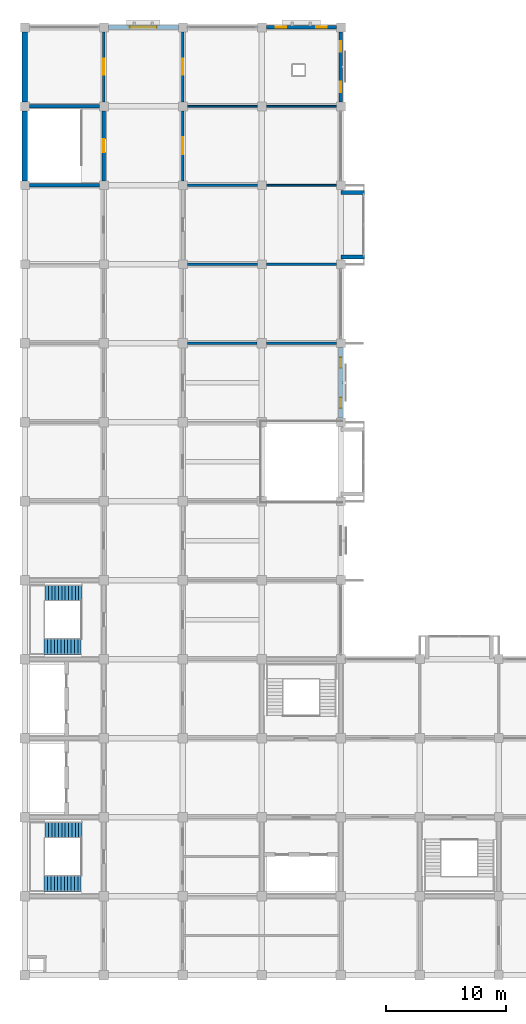
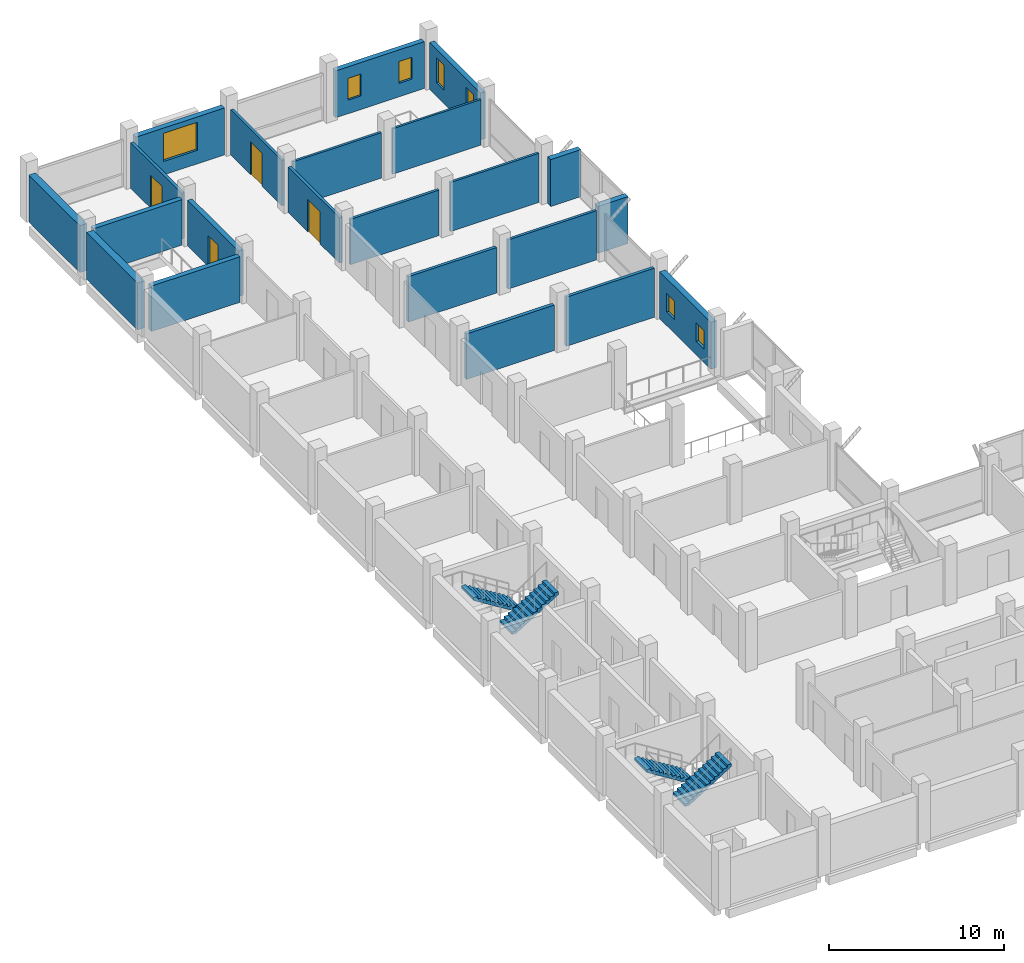
# One storey, part 10 of 14: 22 walls, 7 windows, 4 doors, 4 stair flights, 11 openings, 2 elements without a shape of their own.
"""IFC4 building model written with IfcOpenShell, lengths in metres."""

from ifc_helpers import new_model, si_unit, direction, frame, frame_2d, origin, place, context, subcontext, project, spatial, polyline, rectangle, outline, extrude, material, layer, layer_set, type_object, element, fill, aggregate, save


model = new_model("IFC4")

# Units and contexts
model_context = context("Model", 3, precision=1e-05, world=origin(), true_north=direction((0.0, 1.0)))
body_context = subcontext(model_context, "Body", "Model", "MODEL_VIEW")
ifc_project = project(units=[si_unit("LENGTHUNIT", "METRE"), si_unit("AREAUNIT", "SQUARE_METRE"), si_unit("VOLUMEUNIT", "CUBIC_METRE"), si_unit("PLANEANGLEUNIT", "RADIAN"), si_unit("MASSUNIT", "GRAM", prefix="KILO")], contexts=[model_context])

# Site, building, storey
site_placement = place(None, origin())
site = spatial("IfcSite", under=ifc_project, at=site_placement, CompositionType="ELEMENT")
building_placement = place(site_placement, origin())
building = spatial("IfcBuilding", under=site, at=building_placement, Name="Rusizi Kubbe Research Institute", CompositionType="ELEMENT")
storey_placement = place(building_placement, frame((0.0, 0.0, 31.199951171875)))
storey = spatial("IfcBuildingStorey", under=building, at=storey_placement, Name="L07", CompositionType="ELEMENT", Elevation=31.199951171875)

# Walls
ifc_material_1 = material(Name="Concrete C45/55", Category="concrete")
ifc_layer_1 = layer(ifc_material_1, 0.31494140625)
ifc_layer_set_1 = layer_set([ifc_layer_1], Name="Concrete C45/55")
wall_type_1 = type_object("IfcWallType", Name="CRW-02", PredefinedType="SHEAR", material=ifc_layer_set_1)
for number, where, z_axis, x_axis, name in (
    (1, (0.375, 66.0, 0.0), (0.0, 0.0, 1.0), (1.0, 0.0, 0.0), "Stair Core Shear Wall ST5 L07 S"),
    (2, (0.375, 72.60009765625, 0.0), (0.0, 0.0, 1.0), (1.0, 0.0, 0.0), "Stair Core Shear Wall ST5 L07 N"),
):
    element("IfcWall", number, at=place(storey_placement, frame(where, z_axis=z_axis, x_axis=x_axis)), inside=storey, type_object=wall_type_1, Name=name, PredefinedType="SHEAR", context=body_context, shape_type="SweptSolid", body=[
        extrude(rectangle(XDim=5.85009765625, YDim=0.31494140625, at=frame_2d((2.925048828125, 0.0))), origin(), (0.0, 0.0, 1.0), 3.179931640625),
    ])

# Wall, opening, door
wall_1_placement = place(storey_placement, frame((6.60009765625, 66.375, 0.0), z_axis=(0.0, 0.0, 1.0), x_axis=(0.0, 1.0, 0.0)))
wall_1 = element("IfcWall", 3, at=wall_1_placement, inside=storey, type_object=wall_type_1, Name="Stair Core Shear Wall ST5 L07 E", PredefinedType="SHEAR", context=body_context, shape_type="SweptSolid", body=[
    extrude(rectangle(XDim=5.85009765625, YDim=0.31494140625, at=frame_2d((2.925048828125, 0.0))), origin(), (0.0, 0.0, 1.0), 3.179931640625),
])
opening_1_placement = place(wall_1_placement, frame((2.375, 0.0, 0.0)))
opening_1 = element("IfcOpeningElement", 4, at=opening_1_placement, cuts=wall_1, Name="Opening D-01", PredefinedType="OPENING", context=body_context, shape_type="SweptSolid", body=[
    extrude(rectangle(XDim=1.10009765625, YDim=2.14990234375, at=frame_2d((0.550048828125, 1.074951171875))), frame((0.0, 0.16748046875, 0.0), z_axis=(0.0, -1.0, 0.0), x_axis=(1.0, 0.0, 0.0)), (0.0, 0.0, 1.0), 0.3349609375),
])
ifc_material_2 = material(Name="Fire-Rated Steel Frame and Acoustic Timber Leaf", Category="wood")
door_type_1 = type_object("IfcDoorType", Name="ID-STAIR-110", OperationType="NOTDEFINED", PredefinedType="DOOR", material=ifc_material_2)
door_1_placement = place(opening_1_placement, origin())
door_1 = element("IfcDoor", 5, at=door_1_placement, inside=storey, type_object=door_type_1, Name="Exit Stair Door ST5 L07", OperationType="SINGLE_SWING_LEFT", OverallHeight=2.14990234375, OverallWidth=1.10009765625, PredefinedType="DOOR", context=body_context, shape_type="SweptSolid", body=[
    extrude(rectangle(XDim=1.10009765625, YDim=2.14990234375, at=frame_2d((0.550048828125, 1.074951171875))), frame((0.0, 0.02490234375, 0.0), z_axis=(0.0, -1.0, 0.0), x_axis=(1.0, 0.0, 0.0)), (0.0, 0.0, 1.0), 0.050048828125),
])
fill(opening_1, door_1)

# Wall, openings, windows
ifc_material_3 = material(Name="Volcanic Basalt Ashlar Masonry", Category="masonry")
ifc_layer_2 = layer(ifc_material_3, 0.385009765625)
ifc_layer_set_2 = layer_set([ifc_layer_2], Name="Volcanic Basalt Ashlar Masonry")
wall_type_2 = type_object("IfcWallType", Name="EW-04", PredefinedType="SOLIDWALL", material=ifc_layer_set_2)
wall_2_placement = place(storey_placement, frame((26.39990234375, 46.574951171875, 0.0), z_axis=(0.0, 0.0, 1.0), x_axis=(0.0, 1.0, 0.0)))
wall_2 = element("IfcWall", 6, at=wall_2_placement, inside=storey, type_object=wall_type_2, Name="Ablaq Stone Exterior Wall L07 V4-7", PredefinedType="SOLIDWALL", context=body_context, shape_type="SweptSolid", body=[
    extrude(rectangle(XDim=5.85009765625, YDim=0.385009765625, at=frame_2d((2.925048828125, 0.0))), origin(), (0.0, 0.0, 1.0), 3.280029296875),
])
opening_2_placement = place(wall_2_placement, frame((0.800048828125, 0.0, 0.949951171875)))
opening_2 = element("IfcOpeningElement", 7, at=opening_2_placement, cuts=wall_2, Name="Opening WN-01", PredefinedType="OPENING", context=body_context, shape_type="SweptSolid", body=[
    extrude(rectangle(XDim=0.8798828125, YDim=1.300048828125, at=frame_2d((0.43994140625, 0.64990234375))), frame((0.0, 0.202392578125, 0.0), z_axis=(0.0, -1.0, 0.0), x_axis=(1.0, 0.0, 0.0)), (0.0, 0.0, 1.0), 0.405029296875),
])
opening_3_placement = place(wall_2_placement, frame((4.169921875, 0.0, 0.949951171875)))
opening_3 = element("IfcOpeningElement", 8, at=opening_3_placement, cuts=wall_2, Name="Opening WN-01", PredefinedType="OPENING", context=body_context, shape_type="SweptSolid", body=[
    extrude(rectangle(XDim=0.8798828125, YDim=1.300048828125, at=frame_2d((0.43994140625, 0.64990234375))), frame((0.0, 0.202392578125, 0.0), z_axis=(0.0, -1.0, 0.0), x_axis=(1.0, 0.0, 0.0)), (0.0, 0.0, 1.0), 0.405029296875),
])
ifc_material_4 = material(Name="Aluminium Frame and Solar-Control Double Glazing", Category="glass")
window_type_1 = type_object("IfcWindowType", Name="WN-01", PartitioningType="SINGLE_PANEL", PredefinedType="WINDOW", material=ifc_material_4)
window_1_placement = place(opening_2_placement, origin())
window_1 = element("IfcWindow", 9, at=window_1_placement, inside=storey, type_object=window_type_1, Name="Casement Window WN-01 L07", OverallHeight=1.300048828125, OverallWidth=0.8798828125, PartitioningType="SINGLE_PANEL", PredefinedType="WINDOW", context=body_context, shape_type="SweptSolid", body=[
    extrude(rectangle(XDim=0.8798828125, YDim=1.300048828125, at=frame_2d((0.43994140625, 0.64990234375))), frame((0.0, 0.030029296875, 0.0), z_axis=(0.0, -1.0, 0.0), x_axis=(1.0, 0.0, 0.0)), (0.0, 0.0, 1.0), 0.06005859375),
])
fill(opening_2, window_1)
window_2_placement = place(opening_3_placement, origin())
window_2 = element("IfcWindow", 10, at=window_2_placement, inside=storey, type_object=window_type_1, Name="Casement Window WN-01 L07", OverallHeight=1.300048828125, OverallWidth=0.8798828125, PartitioningType="SINGLE_PANEL", PredefinedType="WINDOW", context=body_context, shape_type="SweptSolid", body=[
    extrude(rectangle(XDim=0.8798828125, YDim=1.300048828125, at=frame_2d((0.43994140625, 0.64990234375))), frame((0.0, 0.030029296875, 0.0), z_axis=(0.0, -1.0, 0.0), x_axis=(1.0, 0.0, 0.0)), (0.0, 0.0, 1.0), 0.06005859375),
])
fill(opening_3, window_2)

# Wall, opening, window
ifc_material_5 = material(Name="Volcanic Basalt Ashlar Masonry", Category="masonry")
ifc_layer_3 = layer(ifc_material_5, 0.35498046875)
ifc_layer_set_3 = layer_set([ifc_layer_3], Name="Volcanic Basalt Ashlar Masonry")
wall_type_3 = type_object("IfcWallType", Name="EW-06", PredefinedType="SOLIDWALL", material=ifc_layer_set_3)
wall_3_placement = place(storey_placement, frame((6.97509765625, 79.199951171875, 0.0), z_axis=(0.0, 0.0, 1.0), x_axis=(1.0, 0.0, 0.0)))
wall_3 = element("IfcWall", 11, at=wall_3_placement, inside=storey, type_object=wall_type_3, Name="Ablaq Stone Exterior Wall L07 H1-12", PredefinedType="SOLIDWALL", context=body_context, shape_type="SweptSolid", body=[
    extrude(rectangle(XDim=5.849853515625, YDim=0.35498046875, at=frame_2d((2.9248046875, 0.0))), origin(), (0.0, 0.0, 1.0), 3.280029296875),
])
opening_4_placement = place(wall_3_placement, frame((1.804931640625, 0.0, 0.949951171875)))
opening_4 = element("IfcOpeningElement", 12, at=opening_4_placement, cuts=wall_3, Name="Opening WN-32", PredefinedType="OPENING", context=body_context, shape_type="SweptSolid", body=[
    extrude(rectangle(XDim=2.239990234375, YDim=1.9599609375, at=frame_2d((1.1201171875, 0.97998046875))), frame((0.0, 0.1875, 0.0), z_axis=(0.0, -1.0, 0.0), x_axis=(1.0, 0.0, 0.0)), (0.0, 0.0, 1.0), 0.375),
])
ifc_material_6 = material(Name="Aluminium Frame and Solar-Control Double Glazing", Category="glass")
window_type_2 = type_object("IfcWindowType", Name="WN-32", PartitioningType="DOUBLE_PANEL_VERTICAL", PredefinedType="WINDOW", material=ifc_material_6)
window_3_placement = place(opening_4_placement, origin())
window_3 = element("IfcWindow", 13, at=window_3_placement, inside=storey, type_object=window_type_2, Name="Casement Window WN-32 L07", OverallHeight=1.9599609375, OverallWidth=2.239990234375, PartitioningType="DOUBLE_PANEL_VERTICAL", PredefinedType="WINDOW", context=body_context, shape_type="SweptSolid", body=[
    extrude(rectangle(XDim=2.239990234375, YDim=1.9599609375, at=frame_2d((1.1201171875, 0.97998046875))), frame((0.0, 0.030029296875, 0.0), z_axis=(0.0, -1.0, 0.0), x_axis=(1.0, 0.0, 0.0)), (0.0, 0.0, 1.0), 0.06005859375),
])
fill(opening_4, window_3)

# Walls
for number, where, z_axis, x_axis, name in (
    (14, (26.39990234375, 60.0, 0.0), (0.0, 0.0, 1.0), (1.0, 0.0, 0.0), "Cumba Return Wall S L07 (4,9)"),
    (15, (26.39990234375, 65.39990234375, 0.0), (0.0, 0.0, 1.0), (1.0, 0.0, 0.0), "Cumba Return Wall N L07 (4,9)"),
):
    element("IfcWall", number, at=place(storey_placement, frame(where, z_axis=z_axis, x_axis=x_axis)), inside=storey, type_object=wall_type_3, Name=name, PredefinedType="SOLIDWALL", context=body_context, shape_type="SweptSolid", body=[
        extrude(rectangle(XDim=2.0, YDim=0.35498046875, at=frame_2d((1.0, 0.0))), origin(), (0.0, 0.0, 1.0), 3.280029296875),
    ])

# Wall, openings, windows
ifc_material_7 = material(Name="Volcanic Basalt Ashlar Masonry", Category="masonry")
ifc_layer_4 = layer(ifc_material_7, 0.324951171875)
ifc_layer_set_4 = layer_set([ifc_layer_4], Name="Volcanic Basalt Ashlar Masonry")
wall_type_4 = type_object("IfcWallType", Name="EW-08", PredefinedType="SOLIDWALL", material=ifc_layer_set_4)
wall_4_placement = place(storey_placement, frame((20.175048828125, 79.199951171875, 0.0), z_axis=(0.0, 0.0, 1.0), x_axis=(1.0, 0.0, 0.0)))
wall_4 = element("IfcWall", 16, at=wall_4_placement, inside=storey, type_object=wall_type_4, Name="Ablaq Stone Exterior Wall L07 H3-12", PredefinedType="SOLIDWALL", context=body_context, shape_type="SweptSolid", body=[
    extrude(rectangle(XDim=5.849853515625, YDim=0.324951171875, at=frame_2d((2.9248046875, 0.0))), origin(), (0.0, 0.0, 1.0), 3.280029296875),
])
opening_5_placement = place(wall_4_placement, frame((0.800048828125, 0.0, 0.949951171875)))
opening_5 = element("IfcOpeningElement", 17, at=opening_5_placement, cuts=wall_4, Name="Opening WN-02", PredefinedType="OPENING", context=body_context, shape_type="SweptSolid", body=[
    extrude(rectangle(XDim=0.8798828125, YDim=1.52001953125, at=frame_2d((0.43994140625, 0.760009765625))), frame((0.0, 0.17236328125, 0.0), z_axis=(0.0, -1.0, 0.0), x_axis=(1.0, 0.0, 0.0)), (0.0, 0.0, 1.0), 0.344970703125),
])
opening_6_placement = place(wall_4_placement, frame((4.169921875, 0.0, 0.949951171875)))
opening_6 = element("IfcOpeningElement", 18, at=opening_6_placement, cuts=wall_4, Name="Opening WN-02", PredefinedType="OPENING", context=body_context, shape_type="SweptSolid", body=[
    extrude(rectangle(XDim=0.8798828125, YDim=1.52001953125, at=frame_2d((0.43994140625, 0.760009765625))), frame((0.0, 0.17236328125, 0.0), z_axis=(0.0, -1.0, 0.0), x_axis=(1.0, 0.0, 0.0)), (0.0, 0.0, 1.0), 0.344970703125),
])
ifc_material_8 = material(Name="Aluminium Frame and Solar-Control Double Glazing", Category="glass")
window_type_3 = type_object("IfcWindowType", Name="WN-02", PartitioningType="SINGLE_PANEL", PredefinedType="WINDOW", material=ifc_material_8)
window_4_placement = place(opening_5_placement, origin())
window_4 = element("IfcWindow", 19, at=window_4_placement, inside=storey, type_object=window_type_3, Name="Casement Window WN-02 L07", OverallHeight=1.52001953125, OverallWidth=0.8798828125, PartitioningType="SINGLE_PANEL", PredefinedType="WINDOW", context=body_context, shape_type="SweptSolid", body=[
    extrude(rectangle(XDim=0.8798828125, YDim=1.52001953125, at=frame_2d((0.43994140625, 0.760009765625))), frame((0.0, 0.030029296875, 0.0), z_axis=(0.0, -1.0, 0.0), x_axis=(1.0, 0.0, 0.0)), (0.0, 0.0, 1.0), 0.06005859375),
])
fill(opening_5, window_4)
window_5_placement = place(opening_6_placement, origin())
window_5 = element("IfcWindow", 20, at=window_5_placement, inside=storey, type_object=window_type_3, Name="Casement Window WN-02 L07", OverallHeight=1.52001953125, OverallWidth=0.8798828125, PartitioningType="SINGLE_PANEL", PredefinedType="WINDOW", context=body_context, shape_type="SweptSolid", body=[
    extrude(rectangle(XDim=0.8798828125, YDim=1.52001953125, at=frame_2d((0.43994140625, 0.760009765625))), frame((0.0, 0.030029296875, 0.0), z_axis=(0.0, -1.0, 0.0), x_axis=(1.0, 0.0, 0.0)), (0.0, 0.0, 1.0), 0.06005859375),
])
fill(opening_6, window_5)

wall_5_placement = place(storey_placement, frame((26.39990234375, 72.97509765625, 0.0), z_axis=(0.0, 0.0, 1.0), x_axis=(0.0, 1.0, 0.0)))
wall_5 = element("IfcWall", 21, at=wall_5_placement, inside=storey, type_object=wall_type_4, Name="Ablaq Stone Exterior Wall L07 V4-11", PredefinedType="SOLIDWALL", context=body_context, shape_type="SweptSolid", body=[
    extrude(rectangle(XDim=5.849853515625, YDim=0.324951171875, at=frame_2d((2.9248046875, 0.0))), origin(), (0.0, 0.0, 1.0), 3.280029296875),
])
opening_7_placement = place(wall_5_placement, frame((0.800048828125, 0.0, 0.949951171875)))
opening_7 = element("IfcOpeningElement", 22, at=opening_7_placement, cuts=wall_5, Name="Opening WN-03", PredefinedType="OPENING", context=body_context, shape_type="SweptSolid", body=[
    extrude(rectangle(XDim=0.8798828125, YDim=1.739990234375, at=frame_2d((0.43994140625, 0.8701171875))), frame((0.0, 0.17236328125, 0.0), z_axis=(0.0, -1.0, 0.0), x_axis=(1.0, 0.0, 0.0)), (0.0, 0.0, 1.0), 0.344970703125),
])
opening_8_placement = place(wall_5_placement, frame((4.169921875, 0.0, 0.949951171875)))
opening_8 = element("IfcOpeningElement", 23, at=opening_8_placement, cuts=wall_5, Name="Opening WN-03", PredefinedType="OPENING", context=body_context, shape_type="SweptSolid", body=[
    extrude(rectangle(XDim=0.8798828125, YDim=1.739990234375, at=frame_2d((0.43994140625, 0.8701171875))), frame((0.0, 0.17236328125, 0.0), z_axis=(0.0, -1.0, 0.0), x_axis=(1.0, 0.0, 0.0)), (0.0, 0.0, 1.0), 0.344970703125),
])
ifc_material_9 = material(Name="Aluminium Frame and Solar-Control Double Glazing", Category="glass")
window_type_4 = type_object("IfcWindowType", Name="WN-03", PartitioningType="SINGLE_PANEL", PredefinedType="WINDOW", material=ifc_material_9)
window_6_placement = place(opening_7_placement, origin())
window_6 = element("IfcWindow", 24, at=window_6_placement, inside=storey, type_object=window_type_4, Name="Casement Window WN-03 L07", OverallHeight=1.739990234375, OverallWidth=0.8798828125, PartitioningType="SINGLE_PANEL", PredefinedType="WINDOW", context=body_context, shape_type="SweptSolid", body=[
    extrude(rectangle(XDim=0.8798828125, YDim=1.739990234375, at=frame_2d((0.43994140625, 0.8701171875))), frame((0.0, 0.030029296875, 0.0), z_axis=(0.0, -1.0, 0.0), x_axis=(1.0, 0.0, 0.0)), (0.0, 0.0, 1.0), 0.06005859375),
])
fill(opening_7, window_6)
window_7_placement = place(opening_8_placement, origin())
window_7 = element("IfcWindow", 25, at=window_7_placement, inside=storey, type_object=window_type_4, Name="Casement Window WN-03 L07", OverallHeight=1.739990234375, OverallWidth=0.8798828125, PartitioningType="SINGLE_PANEL", PredefinedType="WINDOW", context=body_context, shape_type="SweptSolid", body=[
    extrude(rectangle(XDim=0.8798828125, YDim=1.739990234375, at=frame_2d((0.43994140625, 0.8701171875))), frame((0.0, 0.030029296875, 0.0), z_axis=(0.0, -1.0, 0.0), x_axis=(1.0, 0.0, 0.0)), (0.0, 0.0, 1.0), 0.06005859375),
])
fill(opening_8, window_7)

# Wall
ifc_material_10 = material(Name="Concrete Blockwork Fire Partition", Category="masonry")
ifc_layer_5 = layer(ifc_material_10, 0.22509765625)
ifc_layer_set_5 = layer_set([ifc_layer_5], Name="Concrete Blockwork Fire Partition")
wall_type_5 = type_object("IfcWallType", Name="IW-01", PredefinedType="PARTITIONING", material=ifc_layer_set_5)
wall_6_placement = place(storey_placement, frame((13.60009765625, 52.800048828125, 0.0), z_axis=(0.0, 0.0, 1.0), x_axis=(1.0, 0.0, 0.0)))
element("IfcWall", 26, at=wall_6_placement, inside=storey, type_object=wall_type_5, Name="Interior Partition Wall L07 H2-8", PredefinedType="PARTITIONING", context=body_context, shape_type="SweptSolid", body=[
    extrude(rectangle(XDim=5.7998046875, YDim=0.22509765625, at=frame_2d((2.89990234375, 0.0))), origin(), (0.0, 0.0, 1.0), 3.179931640625),
])

# Wall, opening, door
ifc_material_11 = material(Name="Insulated Cleanroom Partition", Category="masonry")
ifc_layer_6 = layer(ifc_material_11, 0.195068359375)
ifc_layer_set_6 = layer_set([ifc_layer_6], Name="Insulated Cleanroom Partition")
wall_type_6 = type_object("IfcWallType", Name="IW-02", PredefinedType="PARTITIONING", material=ifc_layer_set_6)
wall_7_placement = place(storey_placement, frame((6.60009765625, 72.97509765625, 0.0), z_axis=(0.0, 0.0, 1.0), x_axis=(0.0, 1.0, 0.0)))
wall_7 = element("IfcWall", 27, at=wall_7_placement, inside=storey, type_object=wall_type_6, Name="Interior Partition Wall L07 V1-11", PredefinedType="PARTITIONING", context=body_context, shape_type="SweptSolid", body=[
    extrude(rectangle(XDim=5.849853515625, YDim=0.195068359375, at=frame_2d((2.9248046875, 0.0))), origin(), (0.0, 0.0, 1.0), 3.179931640625),
])
opening_9_placement = place(wall_7_placement, frame((2.27490234375, 0.0, 0.0)))
opening_9 = element("IfcOpeningElement", 28, at=opening_9_placement, cuts=wall_7, Name="Opening D-14", PredefinedType="OPENING", context=body_context, shape_type="SweptSolid", body=[
    extrude(rectangle(XDim=1.300048828125, YDim=2.300048828125, at=frame_2d((0.64990234375, 1.14990234375))), frame((0.0, 0.107421875, 0.0), z_axis=(0.0, -1.0, 0.0), x_axis=(1.0, 0.0, 0.0)), (0.0, 0.0, 1.0), 0.215087890625),
])
ifc_material_12 = material(Name="Fire-Rated Steel Frame and Acoustic Timber Leaf", Category="wood")
door_type_2 = type_object("IfcDoorType", Name="ID-LAB-130", OperationType="NOTDEFINED", PredefinedType="DOOR", material=ifc_material_12)
door_2_placement = place(opening_9_placement, origin())
door_2 = element("IfcDoor", 29, at=door_2_placement, inside=storey, type_object=door_type_2, Name="Door to Clean Room Metrology Laboratory (L07-WSP-11)", OperationType="SINGLE_SWING_RIGHT", OverallHeight=2.300048828125, OverallWidth=1.300048828125, PredefinedType="DOOR", context=body_context, shape_type="SweptSolid", body=[
    extrude(rectangle(XDim=1.300048828125, YDim=2.300048828125, at=frame_2d((0.64990234375, 1.14990234375))), frame((0.0, 0.02490234375, 0.0), z_axis=(0.0, -1.0, 0.0), x_axis=(1.0, 0.0, 0.0)), (0.0, 0.0, 1.0), 0.050048828125),
])
fill(opening_9, door_2)

wall_8_placement = place(storey_placement, frame((13.199951171875, 66.375, 0.0), z_axis=(0.0, 0.0, 1.0), x_axis=(0.0, 1.0, 0.0)))
wall_8 = element("IfcWall", 30, at=wall_8_placement, inside=storey, type_object=wall_type_6, Name="Interior Partition Wall L07 V2-10", PredefinedType="PARTITIONING", context=body_context, shape_type="SweptSolid", body=[
    extrude(rectangle(XDim=5.85009765625, YDim=0.195068359375, at=frame_2d((2.925048828125, 0.0))), origin(), (0.0, 0.0, 1.0), 3.179931640625),
])
opening_10_placement = place(wall_8_placement, frame((2.22509765625, 0.0, 0.0)))
opening_10 = element("IfcOpeningElement", 31, at=opening_10_placement, cuts=wall_8, Name="Opening D-12", PredefinedType="OPENING", context=body_context, shape_type="SweptSolid", body=[
    extrude(rectangle(XDim=1.39990234375, YDim=2.25, at=frame_2d((0.699951171875, 1.125))), frame((0.0, 0.107421875, 0.0), z_axis=(0.0, -1.0, 0.0), x_axis=(1.0, 0.0, 0.0)), (0.0, 0.0, 1.0), 0.215087890625),
])
ifc_material_13 = material(Name="Fire-Rated Steel Frame and Acoustic Timber Leaf", Category="wood")
door_type_3 = type_object("IfcDoorType", Name="ID-LAB-140", OperationType="NOTDEFINED", PredefinedType="DOOR", material=ifc_material_13)
door_3_placement = place(opening_10_placement, origin())
door_3 = element("IfcDoor", 32, at=door_3_placement, inside=storey, type_object=door_type_3, Name="Door to Bioscience Wet Laboratory (L07-NW-08)", OperationType="SINGLE_SWING_RIGHT", OverallHeight=2.25, OverallWidth=1.39990234375, PredefinedType="DOOR", context=body_context, shape_type="SweptSolid", body=[
    extrude(rectangle(XDim=1.39990234375, YDim=2.25, at=frame_2d((0.699951171875, 1.125))), frame((0.0, 0.02490234375, 0.0), z_axis=(0.0, -1.0, 0.0), x_axis=(1.0, 0.0, 0.0)), (0.0, 0.0, 1.0), 0.050048828125),
])
fill(opening_10, door_3)

# Walls
wall_9_placement = place(storey_placement, frame((13.574951171875, 59.39990234375, 0.0), z_axis=(0.0, 0.0, 1.0), x_axis=(1.0, 0.0, 0.0)))
element("IfcWall", 33, at=wall_9_placement, inside=storey, type_object=wall_type_6, Name="Interior Partition Wall L07 H2-9", PredefinedType="PARTITIONING", context=body_context, shape_type="SweptSolid", body=[
    extrude(rectangle(XDim=5.85009765625, YDim=0.195068359375, at=frame_2d((2.925048828125, 0.0))), origin(), (0.0, 0.0, 1.0), 3.179931640625),
])
wall_10_placement = place(storey_placement, frame((20.199951171875, 52.800048828125, 0.0), z_axis=(0.0, 0.0, 1.0), x_axis=(1.0, 0.0, 0.0)))
element("IfcWall", 34, at=wall_10_placement, inside=storey, type_object=wall_type_6, Name="Interior Partition Wall L07 H3-8", PredefinedType="PARTITIONING", context=body_context, shape_type="SweptSolid", body=[
    extrude(rectangle(XDim=5.824951171875, YDim=0.195068359375, at=frame_2d((2.91259765625, 0.0))), origin(), (0.0, 0.0, 1.0), 3.429931640625),
])

# Wall, opening, door
ifc_material_14 = material(Name="Acoustic Laboratory Partition", Category="masonry")
ifc_layer_7 = layer(ifc_material_14, 0.175048828125)
ifc_layer_set_7 = layer_set([ifc_layer_7], Name="Acoustic Laboratory Partition")
wall_type_7 = type_object("IfcWallType", Name="IW-03", PredefinedType="PARTITIONING", material=ifc_layer_set_7)
wall_11_placement = place(storey_placement, frame((13.199951171875, 72.97509765625, 0.0), z_axis=(0.0, 0.0, 1.0), x_axis=(0.0, 1.0, 0.0)))
wall_11 = element("IfcWall", 35, at=wall_11_placement, inside=storey, type_object=wall_type_7, Name="Interior Partition Wall L07 V2-11", PredefinedType="PARTITIONING", context=body_context, shape_type="SweptSolid", body=[
    extrude(rectangle(XDim=5.849853515625, YDim=0.175048828125, at=frame_2d((2.9248046875, 0.0))), origin(), (0.0, 0.0, 1.0), 3.179931640625),
])
opening_11_placement = place(wall_11_placement, frame((2.25, 0.0, 0.0)))
opening_11 = element("IfcOpeningElement", 36, at=opening_11_placement, cuts=wall_11, Name="Opening D-13", PredefinedType="OPENING", context=body_context, shape_type="SweptSolid", body=[
    extrude(rectangle(XDim=1.35009765625, YDim=2.300048828125, at=frame_2d((0.675048828125, 1.14990234375))), frame((0.0, 0.097412109375, 0.0), z_axis=(0.0, -1.0, 0.0), x_axis=(1.0, 0.0, 0.0)), (0.0, 0.0, 1.0), 0.195068359375),
])
ifc_material_15 = material(Name="Fire-Rated Steel Frame and Acoustic Timber Leaf", Category="wood")
door_type_4 = type_object("IfcDoorType", Name="ID-LAB-135", OperationType="NOTDEFINED", PredefinedType="DOOR", material=ifc_material_15)
door_4_placement = place(opening_11_placement, origin())
door_4 = element("IfcDoor", 37, at=door_4_placement, inside=storey, type_object=door_type_4, Name="Door to Computational Dry Laboratory (L07-NW-09)", OperationType="SINGLE_SWING_LEFT", OverallHeight=2.300048828125, OverallWidth=1.35009765625, PredefinedType="DOOR", context=body_context, shape_type="SweptSolid", body=[
    extrude(rectangle(XDim=1.35009765625, YDim=2.300048828125, at=frame_2d((0.675048828125, 1.14990234375))), frame((0.0, 0.02490234375, 0.0), z_axis=(0.0, -1.0, 0.0), x_axis=(1.0, 0.0, 0.0)), (0.0, 0.0, 1.0), 0.050048828125),
])
fill(opening_11, door_4)

# Walls
wall_12_placement = place(storey_placement, frame((13.574951171875, 66.0, 0.0), z_axis=(0.0, 0.0, 1.0), x_axis=(1.0, 0.0, 0.0)))
element("IfcWall", 38, at=wall_12_placement, inside=storey, type_object=wall_type_7, Name="Interior Partition Wall L07 H2-10", PredefinedType="PARTITIONING", context=body_context, shape_type="SweptSolid", body=[
    extrude(rectangle(XDim=5.85009765625, YDim=0.175048828125, at=frame_2d((2.925048828125, 0.0))), origin(), (0.0, 0.0, 1.0), 3.179931640625),
])
wall_13_placement = place(storey_placement, frame((20.175048828125, 59.39990234375, 0.0), z_axis=(0.0, 0.0, 1.0), x_axis=(1.0, 0.0, 0.0)))
element("IfcWall", 39, at=wall_13_placement, inside=storey, type_object=wall_type_7, Name="Interior Partition Wall L07 H3-9", PredefinedType="PARTITIONING", context=body_context, shape_type="SweptSolid", body=[
    extrude(rectangle(XDim=5.849853515625, YDim=0.175048828125, at=frame_2d((2.9248046875, 0.0))), origin(), (0.0, 0.0, 1.0), 3.429931640625),
])
ifc_material_16 = material(Name="Fire-Rated Corridor Partition", Category="masonry")
ifc_layer_8 = layer(ifc_material_16, 0.155029296875)
ifc_layer_set_8 = layer_set([ifc_layer_8], Name="Fire-Rated Corridor Partition")
wall_type_8 = type_object("IfcWallType", Name="IW-04", PredefinedType="PARTITIONING", material=ifc_layer_set_8)
wall_14_placement = place(storey_placement, frame((13.574951171875, 72.60009765625, 0.0), z_axis=(0.0, 0.0, 1.0), x_axis=(1.0, 0.0, 0.0)))
element("IfcWall", 40, at=wall_14_placement, inside=storey, type_object=wall_type_8, Name="Interior Partition Wall L07 H2-11", PredefinedType="PARTITIONING", context=body_context, shape_type="SweptSolid", body=[
    extrude(rectangle(XDim=5.85009765625, YDim=0.155029296875, at=frame_2d((2.925048828125, 0.0))), origin(), (0.0, 0.0, 1.0), 3.179931640625),
])
wall_15_placement = place(storey_placement, frame((20.175048828125, 66.0, 0.0), z_axis=(0.0, 0.0, 1.0), x_axis=(1.0, 0.0, 0.0)))
element("IfcWall", 41, at=wall_15_placement, inside=storey, type_object=wall_type_8, Name="Interior Partition Wall L07 H3-10", PredefinedType="PARTITIONING", context=body_context, shape_type="SweptSolid", body=[
    extrude(rectangle(XDim=5.849853515625, YDim=0.155029296875, at=frame_2d((2.9248046875, 0.0))), origin(), (0.0, 0.0, 1.0), 3.429931640625),
])
ifc_material_17 = material(Name="Write-up Glazed Acoustic Partition", Category="masonry")
ifc_layer_9 = layer(ifc_material_17, 0.139892578125)
ifc_layer_set_9 = layer_set([ifc_layer_9], Name="Write-up Glazed Acoustic Partition")
wall_type_9 = type_object("IfcWallType", Name="IW-05", PredefinedType="PARTITIONING", material=ifc_layer_set_9)
wall_16_placement = place(storey_placement, frame((20.175048828125, 72.60009765625, 0.0), z_axis=(0.0, 0.0, 1.0), x_axis=(1.0, 0.0, 0.0)))
element("IfcWall", 42, at=wall_16_placement, inside=storey, type_object=wall_type_9, Name="Interior Partition Wall L07 H3-11", PredefinedType="PARTITIONING", context=body_context, shape_type="SweptSolid", body=[
    extrude(rectangle(XDim=5.849853515625, YDim=0.139892578125, at=frame_2d((2.9248046875, 0.0))), origin(), (0.0, 0.0, 1.0), 3.179931640625),
])
ifc_material_18 = material(Name="Concrete C40/50", Category="concrete")
ifc_layer_10 = layer(ifc_material_18, 0.4599609375)
ifc_layer_set_10 = layer_set([ifc_layer_10], Name="Concrete C40/50")
wall_type_10 = type_object("IfcWallType", Name="PW-02", PredefinedType="SOLIDWALL", material=ifc_layer_set_10)
wall_17_placement = place(storey_placement, frame((0.0, 66.375, 0.0), z_axis=(0.0, 0.0, 1.0), x_axis=(0.0, 1.0, 0.0)))
element("IfcWall", 43, at=wall_17_placement, inside=storey, type_object=wall_type_10, Name="Blind Party Wall L07 V0-10", PredefinedType="SOLIDWALL", context=body_context, shape_type="SweptSolid", body=[
    extrude(rectangle(XDim=5.85009765625, YDim=0.4599609375, at=frame_2d((2.925048828125, 0.0))), origin(), (0.0, 0.0, 1.0), 3.280029296875),
])
wall_18_placement = place(storey_placement, frame((0.0, 72.97509765625, 0.0), z_axis=(0.0, 0.0, 1.0), x_axis=(0.0, 1.0, 0.0)))
element("IfcWall", 44, at=wall_18_placement, inside=storey, type_object=wall_type_10, Name="Blind Party Wall L07 V0-11", PredefinedType="SOLIDWALL", context=body_context, shape_type="SweptSolid", body=[
    extrude(rectangle(XDim=5.849853515625, YDim=0.4599609375, at=frame_2d((2.9248046875, 0.0))), origin(), (0.0, 0.0, 1.0), 3.280029296875),
])

# Stair, stair flights
ifc_material_19 = material(Name="Concrete C40/50", Category="concrete")
stair_type = type_object("IfcStairType", Name="ST-H420A", PredefinedType="HALF_TURN_STAIR", material=ifc_material_19)
stair_1_placement = place(storey_placement, origin())
stair_1 = element("IfcStair", 45, at=stair_1_placement, inside=storey, type_object=stair_type, Name="Protected Exit Stair ST1 (L07)", PredefinedType="HALF_TURN_STAIR")
ifc_material_20 = material(Name="Concrete C40/50", Category="concrete")
stair_flight_type = type_object("IfcStairFlightType", Name="FL-H420A", PredefinedType="STRAIGHT", material=ifc_material_20)
stair_flight_1_placement = place(storey_placement, frame((4.780029296875, 12.14990234375, 0.0), z_axis=(0.0, 0.0, 1.0), x_axis=(-1.0, 0.0, 0.0)))
stair_flight_1 = element("IfcStairFlight", 46, at=stair_flight_1_placement, type_object=stair_flight_type, Name="ST1 flight 1", NumberOfRisers=12, NumberOfTreads=11, PredefinedType="STRAIGHT", RiserHeight=0.175, TreadLength=0.28, context=body_context, shape_type="SweptSolid", body=[
    extrude(outline(polyline([(0.0, 0.0), (0.0, 0.175048828125), (0.280029296875, 0.175048828125), (0.280029296875, 0.35009765625), (0.56005859375, 0.35009765625), (0.56005859375, 0.52490234375), (0.840087890625, 0.52490234375), (0.840087890625, 0.699951171875), (1.1201171875, 0.699951171875), (1.1201171875, 0.875), (1.39990234375, 0.875), (1.39990234375, 1.050048828125), (1.679931640625, 1.050048828125), (1.679931640625, 1.22509765625), (1.9599609375, 1.22509765625), (1.9599609375, 1.39990234375), (2.239990234375, 1.39990234375), (2.239990234375, 1.574951171875), (2.52001953125, 1.574951171875), (2.52001953125, 1.75), (2.800048828125, 1.75), (2.800048828125, 1.925048828125), (3.080078125, 1.925048828125), (3.080078125, 2.10009765625), (3.080078125, 1.736328125), (0.3017578125, 0.0), (0.0, 0.0)])), frame((0.0, 0.699951171875, 0.0), z_axis=(0.0, -1.0, 0.0), x_axis=(1.0, 0.0, 0.0)), (0.0, 0.0, 1.0), 1.39990234375),
])
stair_flight_2_placement = place(storey_placement, frame((1.6259765625, 7.64990234375, 2.10009765625), z_axis=(0.0, 0.0, 1.0), x_axis=(1.0, 0.0, 0.0)))
stair_flight_2 = element("IfcStairFlight", 47, at=stair_flight_2_placement, type_object=stair_flight_type, Name="ST1 flight 2", NumberOfRisers=12, NumberOfTreads=11, PredefinedType="STRAIGHT", RiserHeight=0.175, TreadLength=0.28, context=body_context, shape_type="SweptSolid", body=[
    extrude(outline(polyline([(0.0, 0.0), (0.0, 0.175048828125), (0.280029296875, 0.175048828125), (0.280029296875, 0.35009765625), (0.56005859375, 0.35009765625), (0.56005859375, 0.52490234375), (0.840087890625, 0.52490234375), (0.840087890625, 0.699951171875), (1.1201171875, 0.699951171875), (1.1201171875, 0.875), (1.39990234375, 0.875), (1.39990234375, 1.050048828125), (1.679931640625, 1.050048828125), (1.679931640625, 1.22509765625), (1.9599609375, 1.22509765625), (1.9599609375, 1.39990234375), (2.239990234375, 1.39990234375), (2.239990234375, 1.574951171875), (2.52001953125, 1.574951171875), (2.52001953125, 1.75), (2.800048828125, 1.75), (2.800048828125, 1.925048828125), (3.080078125, 1.925048828125), (3.080078125, 2.10009765625), (3.080078125, 1.736328125), (0.3017578125, 0.0), (0.0, 0.0)])), frame((0.0, 0.699951171875, 0.0), z_axis=(0.0, -1.0, 0.0), x_axis=(1.0, 0.0, 0.0)), (0.0, 0.0, 1.0), 1.39990234375),
])
aggregate(stair_1, [stair_flight_1, stair_flight_2])

stair_2_placement = place(storey_placement, origin())
stair_2 = element("IfcStair", 48, at=stair_2_placement, inside=storey, type_object=stair_type, Name="Protected Exit Stair ST2 (L07)", PredefinedType="HALF_TURN_STAIR")
stair_flight_3_placement = place(storey_placement, frame((4.780029296875, 31.949951171875, 0.0), z_axis=(0.0, 0.0, 1.0), x_axis=(-1.0, 0.0, 0.0)))
stair_flight_3 = element("IfcStairFlight", 49, at=stair_flight_3_placement, type_object=stair_flight_type, Name="ST2 flight 1", NumberOfRisers=12, NumberOfTreads=11, PredefinedType="STRAIGHT", RiserHeight=0.175, TreadLength=0.28, context=body_context, shape_type="SweptSolid", body=[
    extrude(outline(polyline([(0.0, 0.0), (0.0, 0.175048828125), (0.280029296875, 0.175048828125), (0.280029296875, 0.35009765625), (0.56005859375, 0.35009765625), (0.56005859375, 0.52490234375), (0.840087890625, 0.52490234375), (0.840087890625, 0.699951171875), (1.1201171875, 0.699951171875), (1.1201171875, 0.875), (1.39990234375, 0.875), (1.39990234375, 1.050048828125), (1.679931640625, 1.050048828125), (1.679931640625, 1.22509765625), (1.9599609375, 1.22509765625), (1.9599609375, 1.39990234375), (2.239990234375, 1.39990234375), (2.239990234375, 1.574951171875), (2.52001953125, 1.574951171875), (2.52001953125, 1.75), (2.800048828125, 1.75), (2.800048828125, 1.925048828125), (3.080078125, 1.925048828125), (3.080078125, 2.10009765625), (3.080078125, 1.736328125), (0.3017578125, 0.0), (0.0, 0.0)])), frame((0.0, 0.699951171875, 0.0), z_axis=(0.0, -1.0, 0.0), x_axis=(1.0, 0.0, 0.0)), (0.0, 0.0, 1.0), 1.39990234375),
])
stair_flight_4_placement = place(storey_placement, frame((1.6259765625, 27.449951171875, 2.10009765625), z_axis=(0.0, 0.0, 1.0), x_axis=(1.0, 0.0, 0.0)))
stair_flight_4 = element("IfcStairFlight", 50, at=stair_flight_4_placement, type_object=stair_flight_type, Name="ST2 flight 2", NumberOfRisers=12, NumberOfTreads=11, PredefinedType="STRAIGHT", RiserHeight=0.175, TreadLength=0.28, context=body_context, shape_type="SweptSolid", body=[
    extrude(outline(polyline([(0.0, 0.0), (0.0, 0.175048828125), (0.280029296875, 0.175048828125), (0.280029296875, 0.35009765625), (0.56005859375, 0.35009765625), (0.56005859375, 0.52490234375), (0.840087890625, 0.52490234375), (0.840087890625, 0.699951171875), (1.1201171875, 0.699951171875), (1.1201171875, 0.875), (1.39990234375, 0.875), (1.39990234375, 1.050048828125), (1.679931640625, 1.050048828125), (1.679931640625, 1.22509765625), (1.9599609375, 1.22509765625), (1.9599609375, 1.39990234375), (2.239990234375, 1.39990234375), (2.239990234375, 1.574951171875), (2.52001953125, 1.574951171875), (2.52001953125, 1.75), (2.800048828125, 1.75), (2.800048828125, 1.925048828125), (3.080078125, 1.925048828125), (3.080078125, 2.10009765625), (3.080078125, 1.736328125), (0.3017578125, 0.0), (0.0, 0.0)])), frame((0.0, 0.699951171875, 0.0), z_axis=(0.0, -1.0, 0.0), x_axis=(1.0, 0.0, 0.0)), (0.0, 0.0, 1.0), 1.39990234375),
])
aggregate(stair_2, [stair_flight_3, stair_flight_4])

save(model, "model.ifc")
